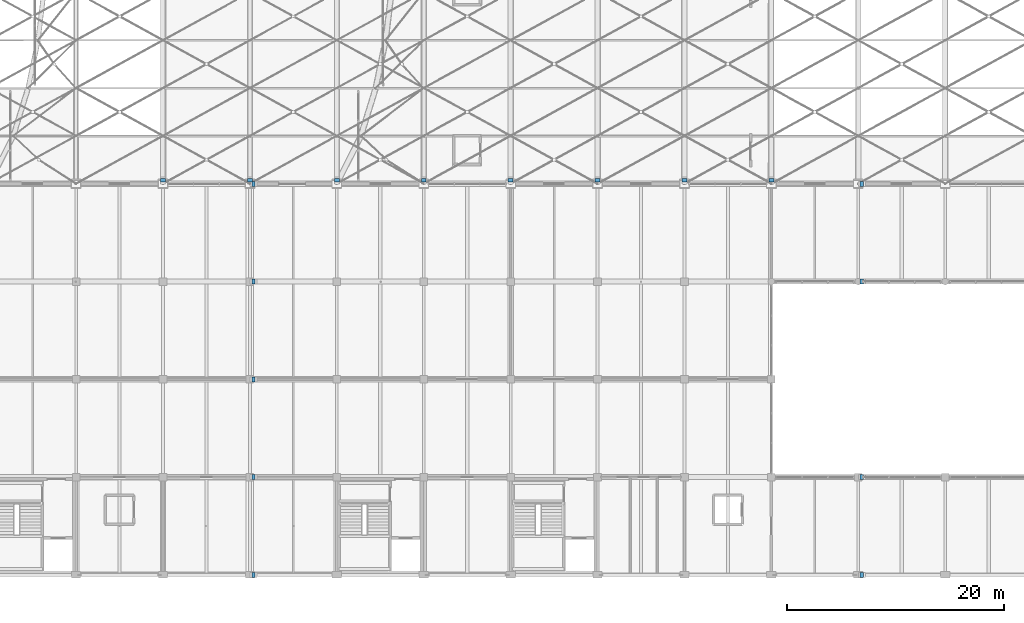
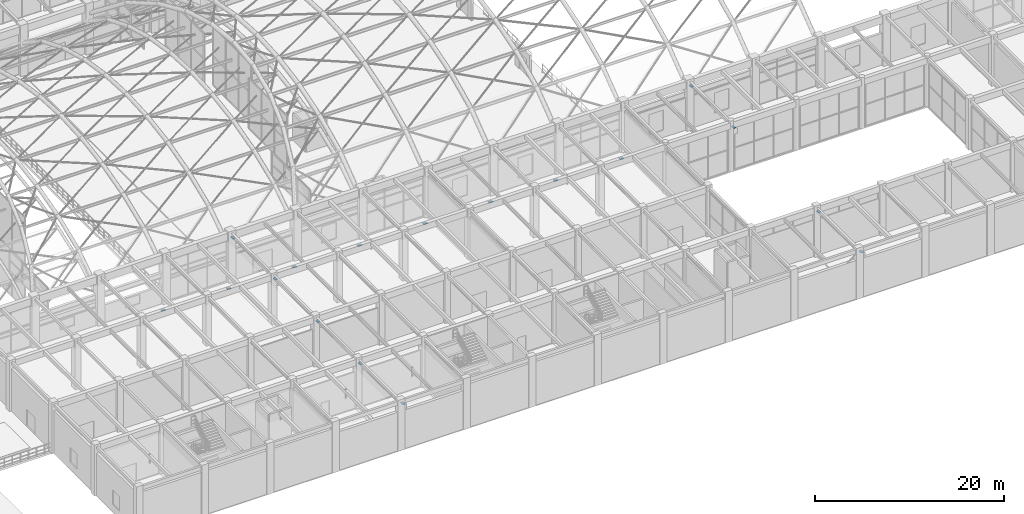
# One storey, part 152 of 163: 17 discrete accessories.
"""IFC4 building model written with IfcOpenShell, lengths in metres."""

from ifc_helpers import new_model, si_unit, direction, frame, origin, origin_2d, place, context, subcontext, project, spatial, rectangle, extrude, material, layer, layer_set, type_object, element, save


model = new_model("IFC4")

# Units and contexts
model_context = context("Model", 3, precision=1e-05, world=origin(), true_north=direction((0.0, 1.0)))
body_context = subcontext(model_context, "Body", "Model", "MODEL_VIEW")
ifc_project = project(units=[si_unit("LENGTHUNIT", "METRE"), si_unit("AREAUNIT", "SQUARE_METRE"), si_unit("VOLUMEUNIT", "CUBIC_METRE"), si_unit("PLANEANGLEUNIT", "RADIAN"), si_unit("MASSUNIT", "GRAM", prefix="KILO")], contexts=[model_context])

# Site, building, storey
site_placement = place(None, origin())
site = spatial("IfcSite", under=ifc_project, at=site_placement, CompositionType="ELEMENT")
building_placement = place(site_placement, origin())
building = spatial("IfcBuilding", under=site, at=building_placement, Name="Varnabhumi Central Station", CompositionType="ELEMENT")
storey_placement = place(building_placement, frame((0.0, 0.0, 9.60009765625)))
storey = spatial("IfcBuildingStorey", under=building, at=storey_placement, Name="L02", CompositionType="ELEMENT", Elevation=9.60009765625)

# Discrete accessories
ifc_material = material(Name="Structural steel E350", Category="steel")
ifc_layer = layer(ifc_material, 0.080078125, Name="Structural steel E350", Category="steel")
ifc_layer_set = layer_set([ifc_layer], Name="Structural steel E350")
discrete_accessory_type = type_object("IfcDiscreteAccessoryType", Name="ACC-BEARING-SHOE", PredefinedType="SHOE", material=ifc_layer_set)
for number, where, z_axis, x_axis, name in (
    (1, (64.324951171875, 0.0, 5.769775390625), (0.0, 0.0, 1.0), (1.0, 0.0, 0.0), "Movement Joint Bearing L02-A-9"),
    (2, (64.324951171875, 9.0, 5.469970703125), (0.0, 0.0, 1.0), (1.0, 0.0, 0.0), "Movement Joint Bearing L02-B-9"),
    (3, (64.324951171875, 18.0, 5.469970703125), (0.0, 0.0, 1.0), (1.0, 0.0, 0.0), "Movement Joint Bearing L02-C-9"),
    (4, (64.324951171875, 27.0, 5.469970703125), (0.0, 0.0, 1.0), (1.0, 0.0, 0.0), "Movement Joint Bearing L02-D-9"),
    (5, (64.324951171875, 36.0, 5.31982421875), (0.0, 0.0, 1.0), (1.0, 0.0, 0.0), "Movement Joint Bearing L02-E-9"),
    (6, (120.324951171875, 0.0, 5.769775390625), (0.0, 0.0, 1.0), (1.0, 0.0, 0.0), "Movement Joint Bearing L02-A-16"),
    (7, (120.324951171875, 9.0, 5.469970703125), (0.0, 0.0, 1.0), (1.0, 0.0, 0.0), "Movement Joint Bearing L02-B-16"),
    (8, (120.324951171875, 27.0, 5.469970703125), (0.0, 0.0, 1.0), (1.0, 0.0, 0.0), "Movement Joint Bearing L02-D-16"),
    (9, (120.324951171875, 36.0, 5.31982421875), (0.0, 0.0, 1.0), (1.0, 0.0, 0.0), "Movement Joint Bearing L02-E-16"),
):
    element("IfcDiscreteAccessory", number, at=place(storey_placement, frame(where, z_axis=z_axis, x_axis=x_axis)), inside=storey, type_object=discrete_accessory_type, Name=name, PredefinedType="SHOE", context=body_context, shape_type="SweptSolid", body=[
        extrude(rectangle(XDim=0.300048828125, YDim=0.449951171875, at=origin_2d()), origin(), (0.0, 0.0, 1.0), 0.080078125),
    ])
for number, where, z_axis, x_axis, name in (
    (10, (56.0, 36.324951171875, -1.300048828125), (0.0, 0.0, 1.0), (1.0, 0.0, 0.0), "Concourse Bridge Sliding Bearing 56-S"),
    (11, (64.0, 36.324951171875, -1.300048828125), (0.0, 0.0, 1.0), (1.0, 0.0, 0.0), "Concourse Bridge Sliding Bearing 64-S"),
    (12, (72.0, 36.324951171875, -1.300048828125), (0.0, 0.0, 1.0), (1.0, 0.0, 0.0), "Concourse Bridge Sliding Bearing 72-S"),
    (13, (80.0, 36.324951171875, -1.300048828125), (0.0, 0.0, 1.0), (1.0, 0.0, 0.0), "Concourse Bridge Sliding Bearing 80-S"),
    (14, (88.0, 36.324951171875, -1.300048828125), (0.0, 0.0, 1.0), (1.0, 0.0, 0.0), "Concourse Bridge Sliding Bearing 88-S"),
    (15, (96.0, 36.324951171875, -1.300048828125), (0.0, 0.0, 1.0), (1.0, 0.0, 0.0), "Concourse Bridge Sliding Bearing 96-S"),
    (16, (104.0, 36.324951171875, -1.300048828125), (0.0, 0.0, 1.0), (1.0, 0.0, 0.0), "Concourse Bridge Sliding Bearing 104-S"),
    (17, (112.0, 36.324951171875, -1.300048828125), (0.0, 0.0, 1.0), (1.0, 0.0, 0.0), "Concourse Bridge Sliding Bearing 112-S"),
):
    element("IfcDiscreteAccessory", number, at=place(storey_placement, frame(where, z_axis=z_axis, x_axis=x_axis)), inside=storey, type_object=discrete_accessory_type, Name=name, PredefinedType="SHOE", context=body_context, shape_type="SweptSolid", body=[
        extrude(rectangle(XDim=0.449951171875, YDim=0.300048828125, at=origin_2d()), origin(), (0.0, 0.0, 1.0), 0.080078125),
    ])

save(model, "model.ifc")
